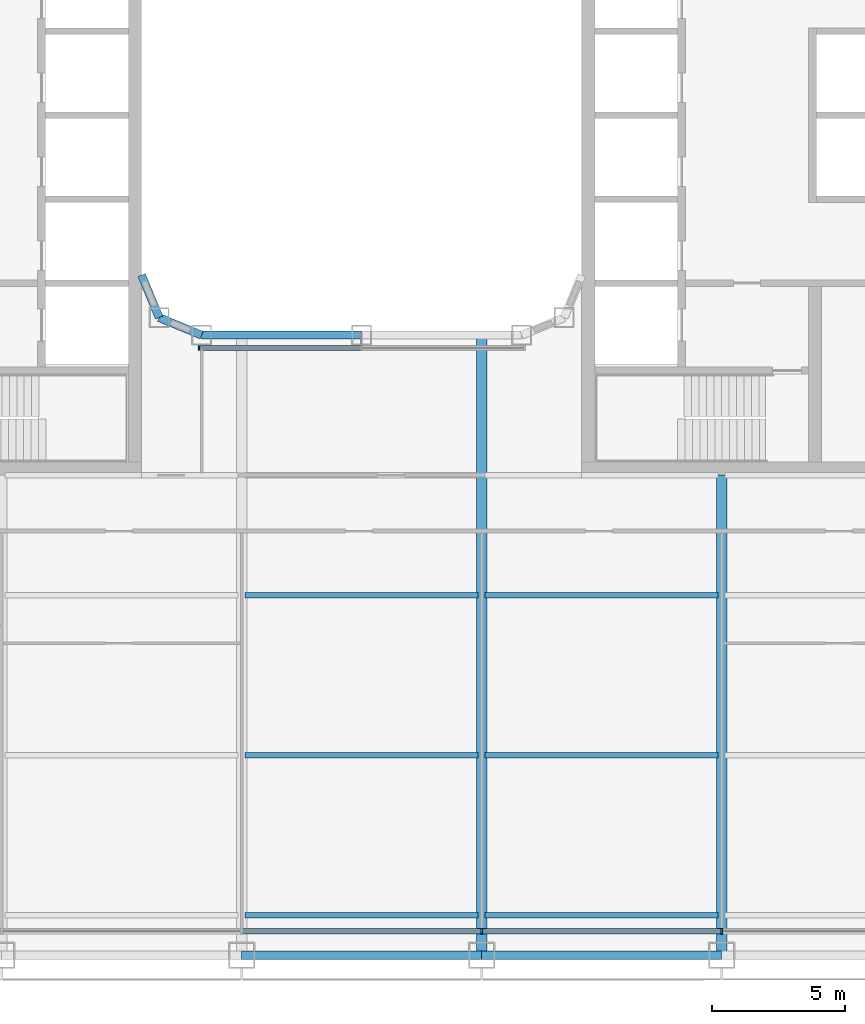
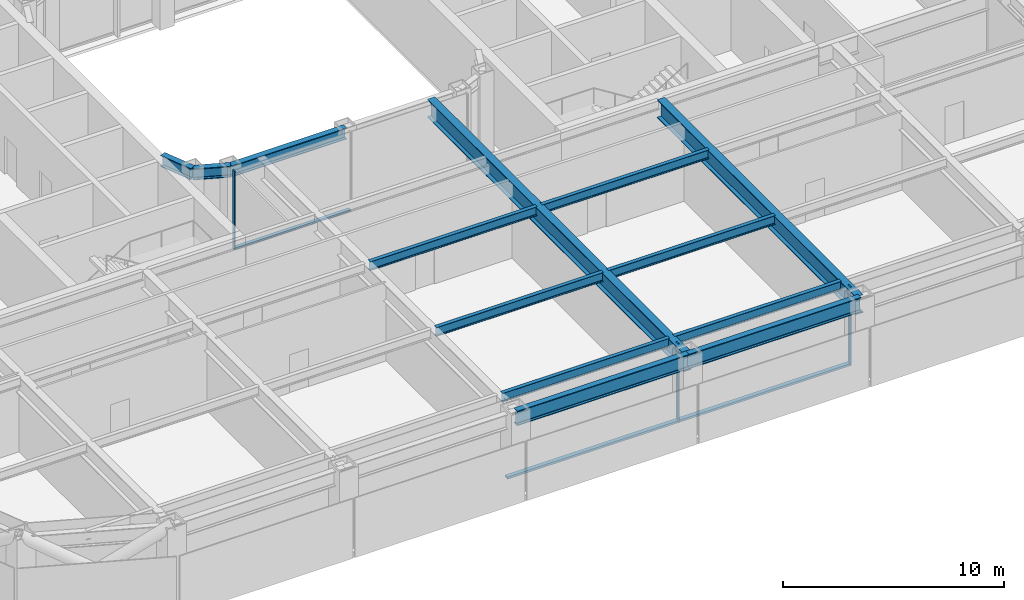
# One storey, part 3 of 30: 13 beams, 6 members, 2 elements without a shape of their own.
"""IFC4 building model written with IfcOpenShell, lengths in metres."""

from ifc_helpers import new_model, si_unit, direction, frame, origin, origin_2d, place, context, subcontext, project, spatial, rectangle, i_section, extrude, material, layer, layer_set, material_profile, profile_set, type_object, element, aggregate, save


model = new_model("IFC4")

# Units and contexts
model_context = context("Model", 3, precision=1e-05, world=origin(), true_north=direction((0.0, 1.0)))
body_context = subcontext(model_context, "Body", "Model", "MODEL_VIEW")
ifc_project = project(units=[si_unit("LENGTHUNIT", "METRE"), si_unit("AREAUNIT", "SQUARE_METRE"), si_unit("VOLUMEUNIT", "CUBIC_METRE"), si_unit("PLANEANGLEUNIT", "RADIAN"), si_unit("MASSUNIT", "GRAM", prefix="KILO")], contexts=[model_context])

# Site, building, storey
site_placement = place(None, origin())
site = spatial("IfcSite", under=ifc_project, at=site_placement, CompositionType="ELEMENT")
building_placement = place(site_placement, origin())
building = spatial("IfcBuilding", under=site, at=building_placement, Name="Siwar Civic Tower", CompositionType="ELEMENT")
storey_placement = place(building_placement, frame((0.0, 0.0, 62.699951171875)))
storey = spatial("IfcBuildingStorey", under=building, at=storey_placement, Name="L13", CompositionType="ELEMENT", Elevation=62.699951171875)

# Curtain wall, members
ifc_material_1 = material(Name="Aluminium and glass", Category="aluminium")
ifc_layer_1 = layer(ifc_material_1, 0.219970703125)
ifc_layer_set_1 = layer_set([ifc_layer_1], Name="Aluminium and glass")
curtain_wall_type_1 = type_object("IfcCurtainWallType", Name="ENV-CW-A", PredefinedType="NOTDEFINED", material=ifc_layer_set_1)
curtain_wall_1_placement = place(storey_placement, origin())
curtain_wall_1 = element("IfcCurtainWall", 1, at=curtain_wall_1_placement, inside=storey, type_object=curtain_wall_type_1, Name="Curtain wall A S", PredefinedType="NOTDEFINED")
ifc_material_2 = material(Name="Aluminium 6063-T6", Category="aluminium")
ifc_material_profile_1 = material_profile(ifc_material_2, rectangle(XDim=0.219970703125, YDim=0.070068359375, at=origin_2d()), Name="AL 220x70")
ifc_profile_set_1 = profile_set([ifc_material_profile_1], Name="Aluminium 6063-T6")
member_type_1 = type_object("IfcMemberType", Name="ENV-MULLION-A", PredefinedType="MULLION", material=ifc_profile_set_1)
member_1_placement = place(storey_placement, frame((4.5, -30.60009765625, 0.0), z_axis=(0.0, 0.0, 1.0), x_axis=(0.0, 1.0, 0.0)))
member_1 = element("IfcMember", 2, at=member_1_placement, type_object=member_type_1, Name="Mullion A S 4", PredefinedType="MULLION", context=body_context, shape_type="SweptSolid", body=[
    extrude(rectangle(XDim=0.219970703125, YDim=0.070068359375, at=origin_2d()), origin(), (0.0, 0.0, 1.0), 4.35009765625),
])
member_2_placement = place(storey_placement, frame((13.5, -30.60009765625, 0.0), z_axis=(0.0, 0.0, 1.0), x_axis=(0.0, 1.0, 0.0)))
member_2 = element("IfcMember", 3, at=member_2_placement, type_object=member_type_1, Name="Mullion A S 5", PredefinedType="MULLION", context=body_context, shape_type="SweptSolid", body=[
    extrude(rectangle(XDim=0.219970703125, YDim=0.070068359375, at=origin_2d()), origin(), (0.0, 0.0, 1.0), 4.35009765625),
])

# Curtain wall, member
ifc_material_3 = material(Name="Aluminium and glass", Category="aluminium")
ifc_layer_2 = layer(ifc_material_3, 0.179931640625)
ifc_layer_set_2 = layer_set([ifc_layer_2], Name="Aluminium and glass")
curtain_wall_type_2 = type_object("IfcCurtainWallType", Name="ENV-CW-W", PredefinedType="NOTDEFINED", material=ifc_layer_set_2)
curtain_wall_2_placement = place(storey_placement, origin())
curtain_wall_2 = element("IfcCurtainWall", 4, at=curtain_wall_2_placement, inside=storey, type_object=curtain_wall_type_2, Name="Curtain wall W WS", PredefinedType="NOTDEFINED")
ifc_material_4 = material(Name="Aluminium 6063-T6", Category="aluminium")
ifc_material_profile_2 = material_profile(ifc_material_4, rectangle(XDim=0.179931640625, YDim=0.06005859375, at=origin_2d()), Name="AL 180x60")
ifc_profile_set_2 = profile_set([ifc_material_profile_2], Name="Aluminium 6063-T6")
member_type_2 = type_object("IfcMemberType", Name="ENV-MULLION-W", PredefinedType="MULLION", material=ifc_profile_set_2)
member_3_placement = place(storey_placement, frame((-6.096435546875, -8.735107421875, 0.0), z_axis=(0.0, 0.0, 1.0), x_axis=(0.0, 1.0, 0.0)))
member_3 = element("IfcMember", 5, at=member_3_placement, type_object=member_type_2, Name="Mullion W WS 1", PredefinedType="MULLION", context=body_context, shape_type="SweptSolid", body=[
    extrude(rectangle(XDim=0.179931640625, YDim=0.06005859375, at=origin_2d()), origin(), (0.0, 0.0, 1.0), 4.35009765625),
])

# Member
ifc_material_5 = material(Name="Aluminium 6063-T6", Category="aluminium")
ifc_material_profile_3 = material_profile(ifc_material_5, rectangle(XDim=0.219970703125, YDim=0.1201171875, at=origin_2d()), Name="AL 220x120")
ifc_profile_set_3 = profile_set([ifc_material_profile_3], Name="Aluminium 6063-T6")
member_type_3 = type_object("IfcMemberType", Name="ENV-TRANSOM-A", PredefinedType="USERDEFINED", material=ifc_profile_set_3)
member_4_placement = place(storey_placement, frame((-4.465087890625, -30.60009765625, 0.06005859375), z_axis=(1.0, 0.0, 0.0), x_axis=(0.0, 1.0, 0.0)))
member_4 = element("IfcMember", 6, at=member_4_placement, type_object=member_type_3, Name="Transom A S 3", ObjectType="TRANSOM", PredefinedType="USERDEFINED", context=body_context, shape_type="SweptSolid", body=[
    extrude(rectangle(XDim=0.219970703125, YDim=0.1201171875, at=origin_2d()), origin(), (0.0, 0.0, 1.0), 8.93017578125),
])

member_5_placement = place(storey_placement, frame((4.534912109375, -30.60009765625, 0.06005859375), z_axis=(1.0, 0.0, 0.0), x_axis=(0.0, 1.0, 0.0)))
member_5 = element("IfcMember", 7, at=member_5_placement, type_object=member_type_3, Name="Transom A S 4", ObjectType="TRANSOM", PredefinedType="USERDEFINED", context=body_context, shape_type="SweptSolid", body=[
    extrude(rectangle(XDim=0.219970703125, YDim=0.1201171875, at=origin_2d()), origin(), (0.0, 0.0, 1.0), 8.93017578125),
])

aggregate(curtain_wall_1, [member_1, member_2, member_4, member_5])

ifc_material_6 = material(Name="Aluminium 6063-T6", Category="aluminium")
ifc_material_profile_4 = material_profile(ifc_material_6, rectangle(XDim=0.179931640625, YDim=0.10009765625, at=origin_2d()), Name="AL 180x100")
ifc_profile_set_4 = profile_set([ifc_material_profile_4], Name="Aluminium 6063-T6")
member_type_4 = type_object("IfcMemberType", Name="ENV-TRANSOM-W", PredefinedType="USERDEFINED", material=ifc_profile_set_4)
member_6_placement = place(storey_placement, frame((-6.06640625, -8.735107421875, 0.050048828125), z_axis=(1.0, 0.0, 0.0), x_axis=(0.0, 1.0, 0.0)))
member_6 = element("IfcMember", 8, at=member_6_placement, type_object=member_type_4, Name="Transom W WS 1", ObjectType="TRANSOM", PredefinedType="USERDEFINED", context=body_context, shape_type="SweptSolid", body=[
    extrude(rectangle(XDim=0.179931640625, YDim=0.10009765625, at=origin_2d()), origin(), (0.0, 0.0, 1.0), 6.036376953125),
])

aggregate(curtain_wall_2, [member_3, member_6])

# Beams
ifc_material_7 = material(Name="Steel S355", Category="steel")
ifc_material_profile_5 = material_profile(ifc_material_7, i_section(OverallWidth=0.199951171875, OverallDepth=0.5, WebThickness=0.01025390625, FlangeThickness=0.01611328125, FilletRadius=0.02099609375, at=origin_2d()), Name="IPE500")
ifc_profile_set_5 = profile_set([ifc_material_profile_5], Name="Steel S355")
beam_type_1 = type_object("IfcBeamType", Name="STR-FB-IPE500", PredefinedType="JOIST", material=ifc_profile_set_5)
for number, where, z_axis, x_axis, name in (
    (9, (-4.3701171875, -30.0, 4.10009765625), (1.0, 0.0, 0.0), (0.0, 1.0, 0.0), "L13/bm/F004"),
    (10, (4.6298828125, -30.0, 4.10009765625), (1.0, 0.0, 0.0), (0.0, 1.0, 0.0), "L13/bm/F005"),
    (11, (-4.3701171875, -24.0, 4.10009765625), (1.0, 0.0, 0.0), (0.0, 1.0, 0.0), "L13/bm/F011"),
    (12, (4.6298828125, -24.0, 4.10009765625), (1.0, 0.0, 0.0), (0.0, 1.0, 0.0), "L13/bm/F012"),
    (13, (-4.3701171875, -18.0, 4.10009765625), (1.0, 0.0, 0.0), (0.0, 1.0, 0.0), "L13/bm/F018"),
    (14, (4.6298828125, -18.0, 4.10009765625), (1.0, 0.0, 0.0), (0.0, 1.0, 0.0), "L13/bm/F019"),
):
    element("IfcBeam", number, at=place(storey_placement, frame(where, z_axis=z_axis, x_axis=x_axis)), inside=storey, type_object=beam_type_1, Name=name, PredefinedType="JOIST", context=body_context, shape_type="SweptSolid", body=[
        extrude(i_section(OverallWidth=0.199951171875, OverallDepth=0.5, WebThickness=0.01025390625, FlangeThickness=0.01611328125, FilletRadius=0.02099609375, at=origin_2d()), origin(), (0.0, 0.0, 1.0), 8.740234375),
    ])
ifc_material_8 = material(Name="Steel S355", Category="steel")
ifc_material_profile_6 = material_profile(ifc_material_8, i_section(OverallWidth=0.39990234375, OverallDepth=1.0, WebThickness=0.01611328125, FlangeThickness=0.0400390625, at=origin_2d()), Name="PG1000x400x16x40")
ifc_profile_set_6 = profile_set([ifc_material_profile_6], Name="Steel S355")
beam_type_2 = type_object("IfcBeamType", Name="STR-PG-PG1000x400x16x40", PredefinedType="BEAM", material=ifc_profile_set_6)
beam_1_placement = place(storey_placement, frame((4.5, -31.5, 3.85009765625), z_axis=(0.0, 1.0, 0.0), x_axis=(-1.0, 0.0, 0.0)))
element("IfcBeam", 15, at=beam_1_placement, inside=storey, type_object=beam_type_2, Name="L13/bm/G07", PredefinedType="BEAM", context=body_context, shape_type="SweptSolid", body=[
    extrude(i_section(OverallWidth=0.39990234375, OverallDepth=1.0, WebThickness=0.01611328125, FlangeThickness=0.0400390625, at=origin_2d()), origin(), (0.0, 0.0, 1.0), 23.25),
])
beam_2_placement = place(storey_placement, frame((13.5, -31.5, 3.85009765625), z_axis=(0.0, 1.0, 0.0), x_axis=(-1.0, 0.0, 0.0)))
element("IfcBeam", 16, at=beam_2_placement, inside=storey, type_object=beam_type_2, Name="L13/bm/G09", PredefinedType="BEAM", context=body_context, shape_type="SweptSolid", body=[
    extrude(i_section(OverallWidth=0.39990234375, OverallDepth=1.0, WebThickness=0.01611328125, FlangeThickness=0.0400390625, at=origin_2d()), origin(), (0.0, 0.0, 1.0), 18.0),
])
ifc_material_9 = material(Name="Steel S355", Category="steel")
ifc_material_profile_7 = material_profile(ifc_material_9, i_section(OverallWidth=0.304931640625, OverallDepth=0.6201171875, WebThickness=0.02099609375, FlangeThickness=0.0400390625, FilletRadius=0.027099609375, at=origin_2d()), Name="HEM600")
ifc_profile_set_7 = profile_set([ifc_material_profile_7], Name="Steel S355")
beam_type_3 = type_object("IfcBeamType", Name="STR-RB-HEM600", PredefinedType="BEAM", material=ifc_profile_set_7)
beam_3_placement = place(storey_placement, frame((-7.591064453125, -7.591064453125, 4.0400390625), z_axis=(0.923901072997, -0.382631424892, 0.0), x_axis=(0.382631424892, 0.923901072997, 0.0)))
element("IfcBeam", 17, at=beam_3_placement, inside=storey, type_object=beam_type_3, Name="L13/bm/RS0", PredefinedType="BEAM", context=body_context, shape_type="SweptSolid", body=[
    extrude(i_section(OverallWidth=0.304931640625, OverallDepth=0.6201171875, WebThickness=0.02099609375, FlangeThickness=0.0400390625, FilletRadius=0.027099609375, at=origin_2d()), origin(), (0.0, 0.0, 1.0), 1.72216796875),
])
beam_4_placement = place(storey_placement, frame((-6.0, -8.25, 4.0400390625), z_axis=(1.0, 0.0, 0.0), x_axis=(0.0, 1.0, 0.0)))
element("IfcBeam", 18, at=beam_4_placement, inside=storey, type_object=beam_type_3, Name="L13/bm/RS1", PredefinedType="BEAM", context=body_context, shape_type="SweptSolid", body=[
    extrude(i_section(OverallWidth=0.304931640625, OverallDepth=0.6201171875, WebThickness=0.02099609375, FlangeThickness=0.0400390625, FilletRadius=0.027099609375, at=origin_2d()), origin(), (0.0, 0.0, 1.0), 6.0),
])
beam_5_placement = place(storey_placement, frame((-7.591064453125, -7.591064453125, 4.0400390625), z_axis=(-0.382631424892, 0.923901072997, 0.0), x_axis=(-0.923901072997, -0.382631424892, 0.0)))
element("IfcBeam", 19, at=beam_5_placement, inside=storey, type_object=beam_type_3, Name="L13/bm/RSEW", PredefinedType="BEAM", context=body_context, shape_type="SweptSolid", body=[
    extrude(i_section(OverallWidth=0.304931640625, OverallDepth=0.6201171875, WebThickness=0.02099609375, FlangeThickness=0.0400390625, FilletRadius=0.027099609375, at=origin_2d()), origin(), (0.0, 0.0, 1.0), 1.72216796875),
])
ifc_material_10 = material(Name="Steel S355", Category="steel")
ifc_material_profile_8 = material_profile(ifc_material_10, i_section(OverallWidth=0.302978515625, OverallDepth=0.81396484375, WebThickness=0.02099609375, FlangeThickness=0.0400390625, FilletRadius=0.030029296875, at=origin_2d()), Name="HEM800")
ifc_profile_set_8 = profile_set([ifc_material_profile_8], Name="Steel S355")
beam_type_4 = type_object("IfcBeamType", Name="STR-SB-HEM800", PredefinedType="BEAM", material=ifc_profile_set_8)
for number, where, z_axis, x_axis, name in (
    (20, (-4.5, -31.5, 3.943115234375), (1.0, 0.0, 0.0), (0.0, 1.0, 0.0), "L13/bm/SS-2"),
    (21, (4.5, -31.5, 3.943115234375), (1.0, 0.0, 0.0), (0.0, 1.0, 0.0), "L13/bm/SS-3"),
):
    element("IfcBeam", number, at=place(storey_placement, frame(where, z_axis=z_axis, x_axis=x_axis)), inside=storey, type_object=beam_type_4, Name=name, PredefinedType="BEAM", context=body_context, shape_type="SweptSolid", body=[
        extrude(i_section(OverallWidth=0.302978515625, OverallDepth=0.81396484375, WebThickness=0.02099609375, FlangeThickness=0.0400390625, FilletRadius=0.030029296875, at=origin_2d()), origin(), (0.0, 0.0, 1.0), 9.0),
    ])

save(model, "model.ifc")
